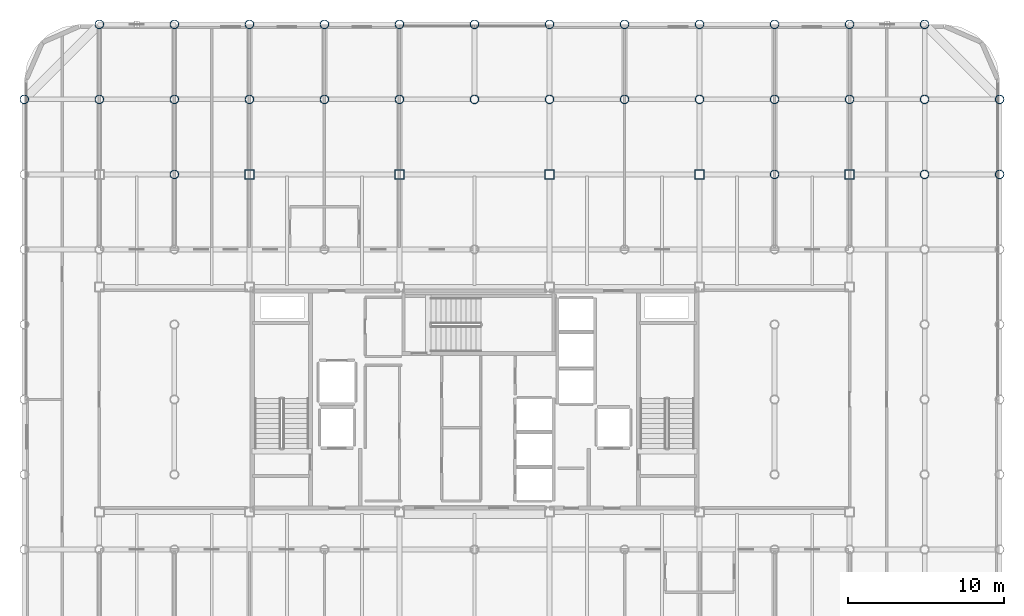
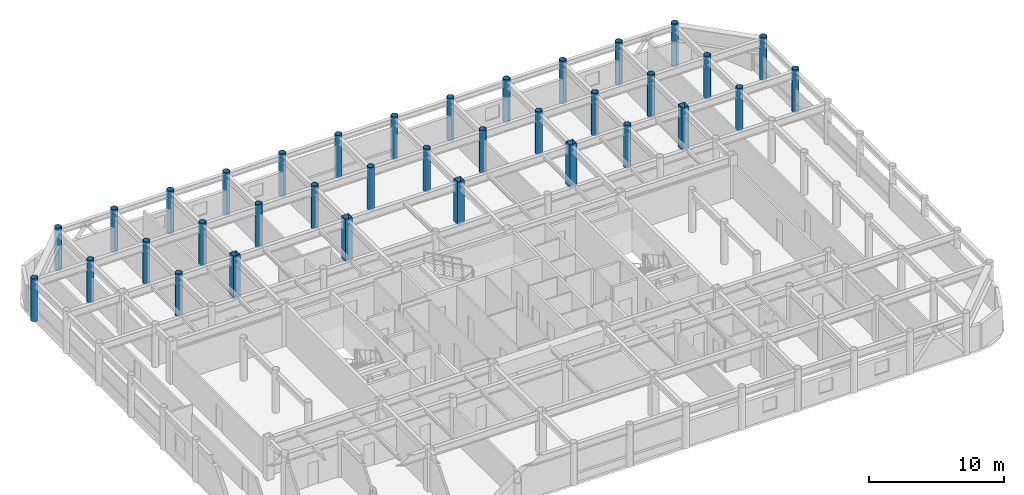
# One storey, part 2 of 22: 35 columns.
"""IFC4 building model written with IfcOpenShell, lengths in metres."""

from ifc_helpers import new_model, si_unit, direction, frame, origin, origin_2d, place, context, subcontext, project, spatial, hollow_rectangle, hollow_circle, extrude, material, material_profile, profile_set, type_object, element, save


model = new_model("IFC4")

# Units and contexts
model_context = context("Model", 3, precision=1e-05, world=origin(), true_north=direction((0.0, 1.0)))
body_context = subcontext(model_context, "Body", "Model", "MODEL_VIEW")
ifc_project = project(units=[si_unit("LENGTHUNIT", "METRE"), si_unit("AREAUNIT", "SQUARE_METRE"), si_unit("VOLUMEUNIT", "CUBIC_METRE"), si_unit("PLANEANGLEUNIT", "RADIAN"), si_unit("MASSUNIT", "GRAM", prefix="KILO")], contexts=[model_context])

# Site, building, storey
site_placement = place(None, origin())
site = spatial("IfcSite", under=ifc_project, at=site_placement, CompositionType="ELEMENT")
building_placement = place(site_placement, origin())
building = spatial("IfcBuilding", under=site, at=building_placement, Name="Kallvorn Hotel Tower", CompositionType="ELEMENT")
storey_placement = place(building_placement, frame((0.0, 0.0, 226.14990234375)))
storey = spatial("IfcBuildingStorey", under=building, at=storey_placement, Name="L56", CompositionType="ELEMENT", Elevation=226.14990234375)

# Columns
ifc_material_1 = material(Name="Structural steel S355J2H", Category="steel")
ifc_material_profile_1 = material_profile(ifc_material_1, hollow_circle(Radius=0.279541015625, WallThickness=0.02490234375, at=origin_2d()), Name="CHS 559x25")
ifc_profile_set_1 = profile_set([ifc_material_profile_1], Name="Structural steel S355J2H")
column_type_1 = type_object("IfcColumnType", Name="COL_CHS_559", PredefinedType="COLUMN", material=ifc_profile_set_1)
for number, where, z_axis, x_axis, name in (
    (1, (-28.800048828125, 19.199951171875, 0.0), (0.0, 0.0, 1.0), (1.0, 0.0, 0.0), "L56 Exoskeleton Column EC09"),
    (2, (-24.0, 19.199951171875, 0.0), (0.0, 0.0, 1.0), (1.0, 0.0, 0.0), "L56 Exoskeleton Column EC13"),
    (3, (-24.0, 24.0, 0.0), (0.0, 0.0, 1.0), (1.0, 0.0, 0.0), "L56 Exoskeleton Column EC14"),
    (4, (-19.199951171875, 14.39990234375, 0.0), (0.0, 0.0, 1.0), (1.0, 0.0, 0.0), "L56 Exoskeleton Column EC22"),
    (5, (-19.199951171875, 19.199951171875, 0.0), (0.0, 0.0, 1.0), (1.0, 0.0, 0.0), "L56 Exoskeleton Column EC23"),
    (6, (-19.199951171875, 24.0, 0.0), (0.0, 0.0, 1.0), (1.0, 0.0, 0.0), "L56 Exoskeleton Column EC24"),
    (7, (-14.39990234375, 19.199951171875, 0.0), (0.0, 0.0, 1.0), (1.0, 0.0, 0.0), "L56 Exoskeleton Column EC26"),
    (8, (-14.39990234375, 24.0, 0.0), (0.0, 0.0, 1.0), (1.0, 0.0, 0.0), "L56 Exoskeleton Column EC27"),
    (9, (-9.60009765625, 19.199951171875, 0.0), (0.0, 0.0, 1.0), (1.0, 0.0, 0.0), "L56 Exoskeleton Column EC31"),
    (10, (-9.60009765625, 24.0, 0.0), (0.0, 0.0, 1.0), (1.0, 0.0, 0.0), "L56 Exoskeleton Column EC32"),
    (11, (-4.800048828125, 19.199951171875, 0.0), (0.0, 0.0, 1.0), (1.0, 0.0, 0.0), "L56 Exoskeleton Column EC34"),
    (12, (-4.800048828125, 24.0, 0.0), (0.0, 0.0, 1.0), (1.0, 0.0, 0.0), "L56 Exoskeleton Column EC35"),
    (13, (0.0, 19.199951171875, 0.0), (0.0, 0.0, 1.0), (1.0, 0.0, 0.0), "L56 Exoskeleton Column EC39"),
    (14, (0.0, 24.0, 0.0), (0.0, 0.0, 1.0), (1.0, 0.0, 0.0), "L56 Exoskeleton Column EC40"),
    (15, (4.800048828125, 19.199951171875, 0.0), (0.0, 0.0, 1.0), (1.0, 0.0, 0.0), "L56 Exoskeleton Column EC42"),
    (16, (4.800048828125, 24.0, 0.0), (0.0, 0.0, 1.0), (1.0, 0.0, 0.0), "L56 Exoskeleton Column EC43"),
    (17, (9.60009765625, 19.199951171875, 0.0), (0.0, 0.0, 1.0), (1.0, 0.0, 0.0), "L56 Exoskeleton Column EC47"),
    (18, (9.60009765625, 24.0, 0.0), (0.0, 0.0, 1.0), (1.0, 0.0, 0.0), "L56 Exoskeleton Column EC48"),
    (19, (14.39990234375, 19.199951171875, 0.0), (0.0, 0.0, 1.0), (1.0, 0.0, 0.0), "L56 Exoskeleton Column EC50"),
    (20, (14.39990234375, 24.0, 0.0), (0.0, 0.0, 1.0), (1.0, 0.0, 0.0), "L56 Exoskeleton Column EC51"),
    (21, (19.199951171875, 14.39990234375, 0.0), (0.0, 0.0, 1.0), (1.0, 0.0, 0.0), "L56 Exoskeleton Column EC59"),
    (22, (19.199951171875, 19.199951171875, 0.0), (0.0, 0.0, 1.0), (1.0, 0.0, 0.0), "L56 Exoskeleton Column EC60"),
    (23, (19.199951171875, 24.0, 0.0), (0.0, 0.0, 1.0), (1.0, 0.0, 0.0), "L56 Exoskeleton Column EC61"),
    (24, (24.0, 19.199951171875, 0.0), (0.0, 0.0, 1.0), (1.0, 0.0, 0.0), "L56 Exoskeleton Column EC65"),
    (25, (24.0, 24.0, 0.0), (0.0, 0.0, 1.0), (1.0, 0.0, 0.0), "L56 Exoskeleton Column EC66"),
    (26, (28.800048828125, 14.39990234375, 0.0), (0.0, 0.0, 1.0), (1.0, 0.0, 0.0), "L56 Exoskeleton Column EC74"),
    (27, (28.800048828125, 19.199951171875, 0.0), (0.0, 0.0, 1.0), (1.0, 0.0, 0.0), "L56 Exoskeleton Column EC75"),
    (28, (28.800048828125, 24.0, 0.0), (0.0, 0.0, 1.0), (1.0, 0.0, 0.0), "L56 Exoskeleton Column EC76"),
    (29, (33.60009765625, 14.39990234375, 0.0), (0.0, 0.0, 1.0), (1.0, 0.0, 0.0), "L56 Exoskeleton Column EC83"),
    (30, (33.60009765625, 19.199951171875, 0.0), (0.0, 0.0, 1.0), (1.0, 0.0, 0.0), "L56 Exoskeleton Column EC84"),
):
    element("IfcColumn", number, at=place(storey_placement, frame(where, z_axis=z_axis, x_axis=x_axis)), inside=storey, type_object=column_type_1, Name=name, PredefinedType="COLUMN", context=body_context, shape_type="SweptSolid", body=[
        extrude(hollow_circle(Radius=0.279541015625, WallThickness=0.02490234375, at=origin_2d()), origin(), (0.0, 0.0, 1.0), 3.85009765625),
    ])
ifc_material_2 = material(Name="Structural steel S355J2H", Category="steel")
ifc_material_profile_2 = material_profile(ifc_material_2, hollow_rectangle(XDim=0.60009765625, YDim=0.60009765625, WallThickness=0.028076171875, at=origin_2d()), Name="RHS 600x600x28")
ifc_profile_set_2 = profile_set([ifc_material_profile_2], Name="Structural steel S355J2H")
column_type_2 = type_object("IfcColumnType", Name="COL_RHS_600", PredefinedType="COLUMN", material=ifc_profile_set_2)
for number, where, z_axis, x_axis, name in (
    (31, (-14.39990234375, 14.39990234375, 0.0), (0.0, 0.0, 1.0), (1.0, 0.0, 0.0), "L56 Inner Column IC08"),
    (32, (-4.800048828125, 14.39990234375, 0.0), (0.0, 0.0, 1.0), (1.0, 0.0, 0.0), "L56 Inner Column IC12"),
    (33, (4.800048828125, 14.39990234375, 0.0), (0.0, 0.0, 1.0), (1.0, 0.0, 0.0), "L56 Inner Column IC16"),
    (34, (14.39990234375, 14.39990234375, 0.0), (0.0, 0.0, 1.0), (1.0, 0.0, 0.0), "L56 Inner Column IC20"),
    (35, (24.0, 14.39990234375, 0.0), (0.0, 0.0, 1.0), (1.0, 0.0, 0.0), "L56 Inner Column IC24"),
):
    element("IfcColumn", number, at=place(storey_placement, frame(where, z_axis=z_axis, x_axis=x_axis)), inside=storey, type_object=column_type_2, Name=name, PredefinedType="COLUMN", context=body_context, shape_type="SweptSolid", body=[
        extrude(hollow_rectangle(XDim=0.60009765625, YDim=0.60009765625, WallThickness=0.028076171875, at=origin_2d()), origin(), (0.0, 0.0, 1.0), 3.85009765625),
    ])

save(model, "model.ifc")
